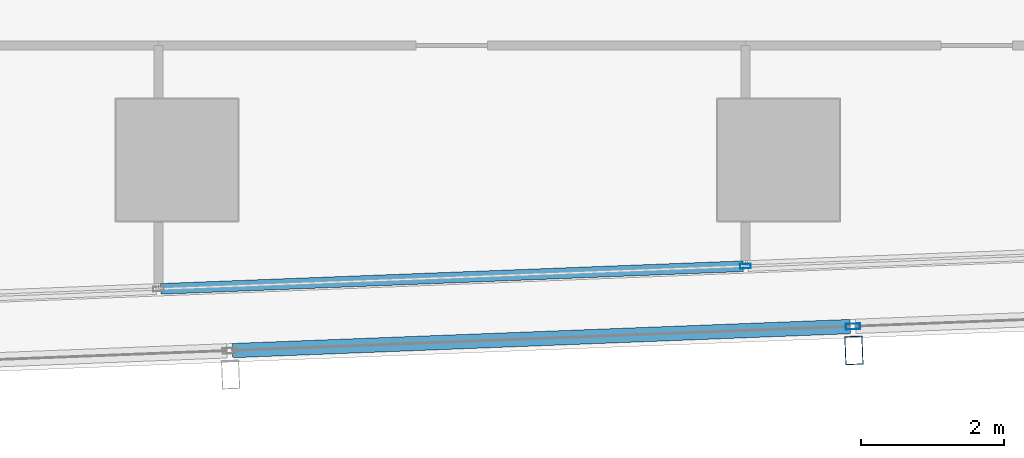
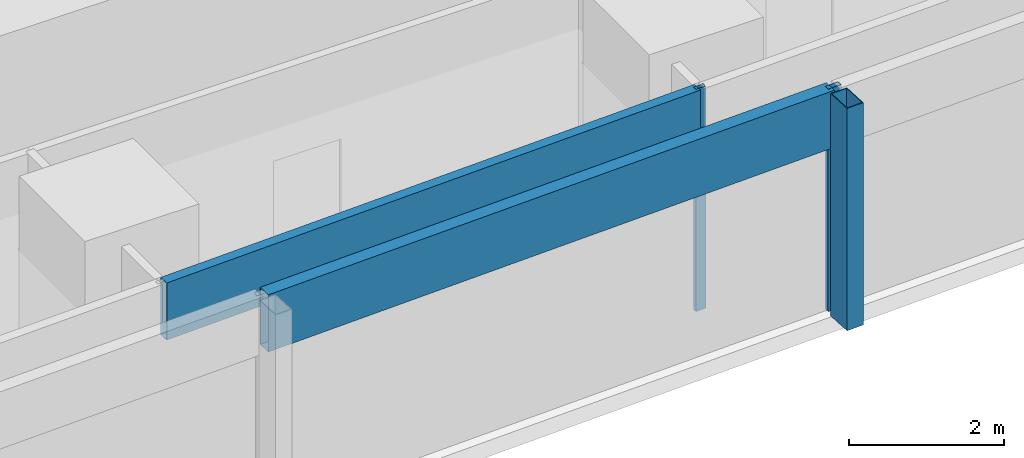
# One storey, part 10 of 40: 5 members, 2 elements without a shape of their own.
"""IFC4 building model written with IfcOpenShell, lengths in metres."""

from ifc_helpers import new_model, si_unit, direction, frame, origin, origin_2d, place, context, subcontext, project, spatial, hollow_rectangle, extrude, material, material_profile, profile_set, type_object, element, aggregate, save


model = new_model("IFC4")

# Units and contexts
model_context = context("Model", 3, precision=1e-05, world=origin(), true_north=direction((0.0, 1.0)))
body_context = subcontext(model_context, "Body", "Model", "MODEL_VIEW")
ifc_project = project(units=[si_unit("LENGTHUNIT", "METRE"), si_unit("AREAUNIT", "SQUARE_METRE"), si_unit("VOLUMEUNIT", "CUBIC_METRE"), si_unit("PLANEANGLEUNIT", "RADIAN"), si_unit("MASSUNIT", "GRAM", prefix="KILO")], contexts=[model_context])

# Site, building, storey
site_placement = place(None, origin())
site = spatial("IfcSite", under=ifc_project, at=site_placement, CompositionType="ELEMENT")
building_placement = place(site_placement, origin())
building = spatial("IfcBuilding", under=site, at=building_placement, Name="Rekha Terrace Tower", CompositionType="ELEMENT")
storey_placement = place(building_placement, frame((0.0, 0.0, 140.300048828125)))
storey = spatial("IfcBuildingStorey", under=building, at=storey_placement, Name="L35", CompositionType="ELEMENT", Elevation=140.300048828125)

# Curtain wall, member
ifc_material_1 = material(Name="Aluminium framing", Category="aluminium")
curtain_wall_type_1 = type_object("IfcCurtainWallType", Name="CW2 double skin outer glazing", PredefinedType="USERDEFINED", material=ifc_material_1)
curtain_wall_1_placement = place(storey_placement, origin())
curtain_wall_1 = element("IfcCurtainWall", 1, at=curtain_wall_1_placement, inside=storey, type_object=curtain_wall_type_1, Name="CW2 double skin outer glazing", ObjectType="DOUBLE SKIN OUTER GLAZING", PredefinedType="USERDEFINED")
ifc_material_2 = material(Name="Steel S355 with fluorocarbon finish", Category="steel")
ifc_material_profile_1 = material_profile(ifc_material_2, hollow_rectangle(XDim=0.25, YDim=0.39990234375, WallThickness=0.012451171875, at=origin_2d()), Name="RHS400x250x12.5")
ifc_profile_set_1 = profile_set([ifc_material_profile_1], Name="Steel S355 with fluorocarbon finish")
member_type_1 = type_object("IfcMemberType", Name="BL1 facade blade RHS 400 x 250", PredefinedType="USERDEFINED", material=ifc_profile_set_1)
member_1_placement = place(storey_placement, frame((51.4521484375, 14.141845703125, 0.0), z_axis=(0.0, 0.0, 1.0), x_axis=(0.999243494356, 0.038890088543, 0.0)))
member_1 = element("IfcMember", 2, at=member_1_placement, type_object=member_type_1, Name="Facade blade", ObjectType="FACADE BLADE", PredefinedType="USERDEFINED", context=body_context, shape_type="SweptSolid", body=[
    extrude(hollow_rectangle(XDim=0.25, YDim=0.39990234375, WallThickness=0.012451171875, at=origin_2d()), origin(), (0.0, 0.0, 1.0), 3.5),
])

# Curtain wall, members
curtain_wall_type_2 = type_object("IfcCurtainWallType", Name="CW1 double skin inner glazing", PredefinedType="USERDEFINED", material=ifc_material_1)
curtain_wall_2_placement = place(storey_placement, origin())
curtain_wall_2 = element("IfcCurtainWall", 3, at=curtain_wall_2_placement, inside=storey, type_object=curtain_wall_type_2, Name="CW1 double skin inner glazing", ObjectType="DOUBLE SKIN INNER GLAZING", PredefinedType="USERDEFINED")
ifc_material_3 = material(Name="Aluminium mullion section", Category="aluminium")
ifc_material_profile_2 = material_profile(ifc_material_3, hollow_rectangle(XDim=0.06494140625, YDim=0.14990234375, WallThickness=0.00390625, at=origin_2d()), Name="AL RHS 65x150")
ifc_profile_set_2 = profile_set([ifc_material_profile_2], Name="Aluminium mullion section")
member_type_2 = type_object("IfcMemberType", Name="CW1 mullion RHS 65 x 150", PredefinedType="MULLION", material=ifc_profile_set_2)
member_2_placement = place(storey_placement, frame((49.936767578125, 15.31884765625, 0.0), z_axis=(0.0, 0.0, 1.0), x_axis=(-0.038889971345, 0.999243498917, 0.0)))
member_2 = element("IfcMember", 4, at=member_2_placement, type_object=member_type_2, Name="CW1 mullion 4", PredefinedType="MULLION", context=body_context, shape_type="SweptSolid", body=[
    extrude(hollow_rectangle(XDim=0.06494140625, YDim=0.14990234375, WallThickness=0.00390625, at=origin_2d()), origin(), (0.0, 0.0, 1.0), 3.5),
])
ifc_material_4 = material(Name="Insulated aluminium spandrel box", Category="aluminium")
ifc_material_profile_3 = material_profile(ifc_material_4, hollow_rectangle(XDim=0.14990234375, YDim=0.89990234375, WallThickness=0.0029296875, at=origin_2d()), Name="AL SPANDREL BOX 150x900")
ifc_profile_set_3 = profile_set([ifc_material_profile_3], Name="Insulated aluminium spandrel box")
member_type_3 = type_object("IfcMemberType", Name="CW1 spandrel transom 150 x 900", PredefinedType="USERDEFINED", material=ifc_profile_set_3)
member_3_placement = place(storey_placement, frame((41.772705078125, 15.001220703125, 3.050048828125), z_axis=(0.999243835719, 0.038881316573, 0.0), x_axis=(-0.038881316573, 0.999243835719, 0.0)))
member_3 = element("IfcMember", 5, at=member_3_placement, type_object=member_type_3, Name="CW1 spandrel transom 3", ObjectType="TRANSOM", PredefinedType="USERDEFINED", context=body_context, shape_type="SweptSolid", body=[
    extrude(hollow_rectangle(XDim=0.14990234375, YDim=0.89990234375, WallThickness=0.0029296875, at=origin_2d()), origin(), (0.0, 0.0, 1.0), 8.1376953125),
])
aggregate(curtain_wall_2, [member_2, member_3])

# Member
ifc_material_profile_4 = material_profile(ifc_material_3, hollow_rectangle(XDim=0.080078125, YDim=0.199951171875, WallThickness=0.00390625, at=origin_2d()), Name="AL RHS 80x200")
ifc_profile_set_4 = profile_set([ifc_material_profile_4], Name="Aluminium mullion section")
member_type_4 = type_object("IfcMemberType", Name="CW2 mullion RHS 80 x 200", PredefinedType="MULLION", material=ifc_profile_set_4)
member_4_placement = place(storey_placement, frame((51.439208984375, 14.4765625, 0.0), z_axis=(0.0, 0.0, 1.0), x_axis=(-0.038889971345, 0.999243498917, 0.0)))
member_4 = element("IfcMember", 6, at=member_4_placement, type_object=member_type_4, Name="CW2 mullion 4", PredefinedType="MULLION", context=body_context, shape_type="SweptSolid", body=[
    extrude(hollow_rectangle(XDim=0.080078125, YDim=0.199951171875, WallThickness=0.00390625, at=origin_2d()), origin(), (0.0, 0.0, 1.0), 3.5),
])

ifc_material_profile_5 = material_profile(ifc_material_4, hollow_rectangle(XDim=0.199951171875, YDim=0.89990234375, WallThickness=0.0029296875, at=origin_2d()), Name="AL SPANDREL BOX 200x900")
ifc_profile_set_5 = profile_set([ifc_material_profile_5], Name="Insulated aluminium spandrel box")
member_type_5 = type_object("IfcMemberType", Name="CW2 spandrel transom 200 x 900", PredefinedType="USERDEFINED", material=ifc_profile_set_5)
member_5_placement = place(storey_placement, frame((42.774169921875, 14.139404296875, 3.050048828125), z_axis=(0.999243438523, 0.038891523097, 0.0), x_axis=(-0.038891523097, 0.999243438523, 0.0)))
member_5 = element("IfcMember", 7, at=member_5_placement, type_object=member_type_5, Name="CW2 spandrel transom 3", ObjectType="TRANSOM", PredefinedType="USERDEFINED", context=body_context, shape_type="SweptSolid", body=[
    extrude(hollow_rectangle(XDim=0.199951171875, YDim=0.89990234375, WallThickness=0.0029296875, at=origin_2d()), origin(), (0.0, 0.0, 1.0), 8.631591796875),
])

aggregate(curtain_wall_1, [member_4, member_5, member_1])

save(model, "model.ifc")
